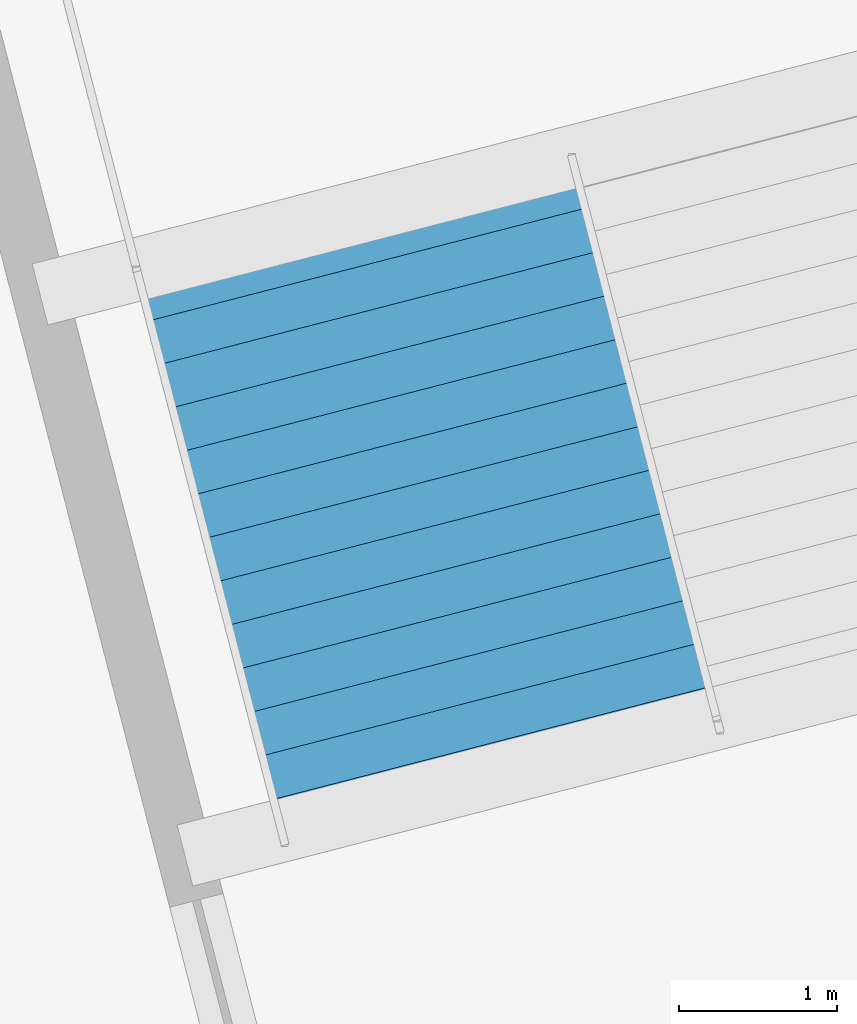
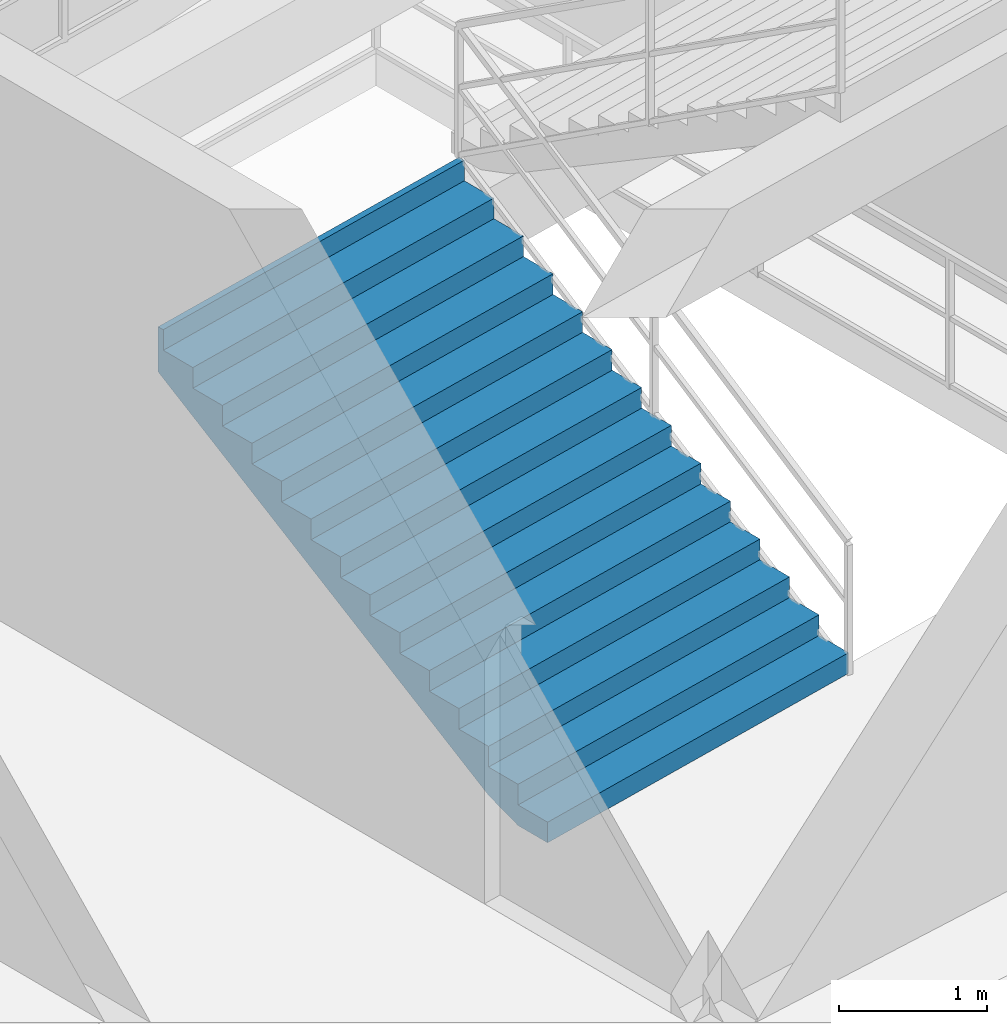
# One storey, part 130 of 156: 1 stair flight, 1 element without a shape of its own.
"""IFC4 building model written with IfcOpenShell, lengths in metres."""

from ifc_helpers import new_model, si_unit, direction, frame, origin, place, context, subcontext, project, spatial, polygons, material, type_object, element, aggregate, save


model = new_model("IFC4")

# Units and contexts
model_context = context("Model", 3, precision=1e-05, world=origin(), true_north=direction((0.0, 1.0)))
body_context = subcontext(model_context, "Body", "Model", "MODEL_VIEW")
ifc_project = project(units=[si_unit("LENGTHUNIT", "METRE"), si_unit("AREAUNIT", "SQUARE_METRE"), si_unit("VOLUMEUNIT", "CUBIC_METRE"), si_unit("PLANEANGLEUNIT", "RADIAN"), si_unit("MASSUNIT", "GRAM", prefix="KILO")], contexts=[model_context])

# Site, building, storey
site_placement = place(None, origin())
site = spatial("IfcSite", under=ifc_project, at=site_placement, CompositionType="ELEMENT")
building_placement = place(site_placement, origin())
building = spatial("IfcBuilding", under=site, at=building_placement, Name="Kazemori Nagisa Stadium", CompositionType="ELEMENT")
storey_placement = place(building_placement, frame((0.0, 0.0, 5.780029296875)))
storey = spatial("IfcBuildingStorey", under=building, at=storey_placement, Name="L01", CompositionType="ELEMENT", Elevation=5.780029296875)

# Stair, stair flight
ifc_material = material(Name="Concrete C36/45 (Fc36)", Category="concrete")
stair_type = type_object("IfcStairType", Name="Stair_CORE_28", PredefinedType="TWO_STRAIGHT_RUN_STAIR", material=ifc_material)
stair_placement = place(storey_placement, origin())
stair = element("IfcStair", 1, at=stair_placement, inside=storey, type_object=stair_type, Name="Exit stair ST07 L01", PredefinedType="TWO_STRAIGHT_RUN_STAIR")
stair_flight_type = type_object("IfcStairFlightType", Name="Flight_CORE_14", PredefinedType="STRAIGHT", material=ifc_material)
stair_flight_placement = place(storey_placement, frame((207.933349609375, 122.920166015625, 0.0), z_axis=(0.0, 0.0, 1.0), x_axis=(-0.250001576145, 0.968245429592, 0.0)))
stair_flight = element("IfcStairFlight", 2, at=stair_flight_placement, type_object=stair_flight_type, Name="Exit stair ST07 L01 flight 1", NumberOfRisers=14, NumberOfTreads=13, PredefinedType="STRAIGHT", RiserHeight=0.17, TreadLength=0.285, context=body_context, shape_type="Tessellation", body=[
    polygons([(0.0, -1.425048828125, 0.0), (0.0, -1.425048828125, 0.169921875), (0.284912109375, -1.425048828125, 0.169921875), (0.284912109375, -1.425048828125, 0.340087890625), (0.570068359375, -1.425048828125, 0.340087890625), (0.570068359375, -1.425048828125, 0.510009765625), (0.85498046875, -1.425048828125, 0.510009765625), (0.85498046875, -1.425048828125, 0.679931640625), (1.139892578125, -1.425048828125, 0.679931640625), (1.139892578125, -1.425048828125, 0.85009765625), (1.425048828125, -1.425048828125, 0.85009765625), (1.425048828125, -1.425048828125, 1.02001953125), (1.7099609375, -1.425048828125, 1.02001953125), (1.7099609375, -1.425048828125, 1.18994140625), (1.9951171875, -1.425048828125, 1.18994140625), (1.9951171875, -1.425048828125, 1.360107421875), (2.280029296875, -1.425048828125, 1.360107421875), (2.280029296875, -1.425048828125, 1.530029296875), (2.56494140625, -1.425048828125, 1.530029296875), (2.56494140625, -1.425048828125, 1.699951171875), (2.85009765625, -1.425048828125, 1.699951171875), (2.85009765625, -1.425048828125, 1.8701171875), (3.135009765625, -1.425048828125, 1.8701171875), (3.135009765625, -1.425048828125, 2.0400390625), (3.419921875, -1.425048828125, 2.0400390625), (3.419921875, -1.425048828125, 2.2099609375), (3.705078125, -1.425048828125, 2.2099609375), (3.705078125, -1.425048828125, 2.3798828125), (3.7548828125, -1.425048828125, 2.3798828125), (3.7548828125, -1.425048828125, 2.007080078125), (3.705078125, -1.425048828125, 1.977294921875), (3.419921875, -1.425048828125, 1.80712890625), (3.135009765625, -1.425048828125, 1.63720703125), (2.85009765625, -1.425048828125, 1.46728515625), (2.56494140625, -1.425048828125, 1.297119140625), (2.280029296875, -1.425048828125, 1.127197265625), (1.9951171875, -1.425048828125, 0.957275390625), (1.7099609375, -1.425048828125, 0.787109375), (1.425048828125, -1.425048828125, 0.6171875), (1.139892578125, -1.425048828125, 0.447265625), (0.85498046875, -1.425048828125, 0.277099609375), (0.570068359375, -1.425048828125, 0.107177734375), (0.284912109375, -1.425048828125, 0.0), (0.0, -0.08544921875, 0.0), (0.0, -0.08544921875, 0.169921875), (0.284912109375, -0.08544921875, 0.169921875), (0.284912109375, -0.08544921875, 0.340087890625), (0.570068359375, -0.08544921875, 0.340087890625), (0.570068359375, -0.08544921875, 0.510009765625), (0.85498046875, -0.08544921875, 0.510009765625), (0.85498046875, -0.08544921875, 0.679931640625), (1.139892578125, -0.08544921875, 0.679931640625), (1.139892578125, -0.08544921875, 0.85009765625), (1.425048828125, -0.08544921875, 0.85009765625), (1.425048828125, -0.08544921875, 1.02001953125), (1.7099609375, -0.08544921875, 1.02001953125), (1.7099609375, -0.08544921875, 1.18994140625), (1.9951171875, -0.08544921875, 1.18994140625), (1.9951171875, -0.08544921875, 1.360107421875), (2.280029296875, -0.08544921875, 1.360107421875), (2.280029296875, -0.08544921875, 1.530029296875), (2.56494140625, -0.08544921875, 1.530029296875), (2.56494140625, -0.08544921875, 1.699951171875), (2.85009765625, -0.08544921875, 1.699951171875), (2.85009765625, -0.08544921875, 1.8701171875), (3.135009765625, -0.08544921875, 1.8701171875), (3.135009765625, -0.08544921875, 2.0400390625), (3.419921875, -0.08544921875, 2.0400390625), (3.419921875, -0.08544921875, 2.2099609375), (3.705078125, -0.08544921875, 2.2099609375), (3.705078125, -0.08544921875, 2.3798828125), (3.7548828125, -0.08544921875, 2.3798828125), (3.7548828125, -0.08544921875, 2.007080078125), (3.705078125, -0.08544921875, 1.977294921875), (3.419921875, -0.08544921875, 1.80712890625), (3.135009765625, -0.08544921875, 1.63720703125), (2.85009765625, -0.08544921875, 1.46728515625), (2.56494140625, -0.08544921875, 1.297119140625), (2.280029296875, -0.08544921875, 1.127197265625), (1.9951171875, -0.08544921875, 0.957275390625), (1.7099609375, -0.08544921875, 0.787109375), (1.425048828125, -0.08544921875, 0.6171875), (1.139892578125, -0.08544921875, 0.447265625), (0.85498046875, -0.08544921875, 0.277099609375), (0.570068359375, -0.08544921875, 0.107177734375), (0.284912109375, -0.08544921875, 0.0), (0.0, 0.0, 0.0), (0.0, 0.0, 0.169921875), (0.284912109375, 0.0, 0.169921875), (0.284912109375, 0.0, 0.340087890625), (0.570068359375, 0.0, 0.340087890625), (0.570068359375, 0.0, 0.510009765625), (0.85498046875, 0.0, 0.510009765625), (0.85498046875, 0.0, 0.679931640625), (1.139892578125, 0.0, 0.679931640625), (1.139892578125, 0.0, 0.85009765625), (1.425048828125, 0.0, 0.85009765625), (1.425048828125, 0.0, 1.02001953125), (1.7099609375, 0.0, 1.02001953125), (1.7099609375, 0.0, 1.18994140625), (1.9951171875, 0.0, 1.18994140625), (1.9951171875, 0.0, 1.360107421875), (2.280029296875, 0.0, 1.360107421875), (2.280029296875, 0.0, 1.530029296875), (2.56494140625, 0.0, 1.530029296875), (2.56494140625, 0.0, 1.699951171875), (2.85009765625, 0.0, 1.699951171875), (2.85009765625, 0.0, 1.8701171875), (3.135009765625, 0.0, 1.8701171875), (3.135009765625, 0.0, 2.0400390625), (3.419921875, 0.0, 2.0400390625), (3.419921875, 0.0, 2.2099609375), (3.705078125, 0.0, 2.2099609375), (3.705078125, 0.0, 2.3798828125), (3.7548828125, 0.0, 2.3798828125), (3.7548828125, 0.0, 2.007080078125), (3.705078125, 0.0, 1.977294921875), (3.419921875, 0.0, 1.80712890625), (3.135009765625, 0.0, 1.63720703125), (2.85009765625, 0.0, 1.46728515625), (2.56494140625, 0.0, 1.297119140625), (2.280029296875, 0.0, 1.127197265625), (1.9951171875, 0.0, 0.957275390625), (1.7099609375, 0.0, 0.787109375), (1.425048828125, 0.0, 0.6171875), (1.139892578125, 0.0, 0.447265625), (0.85498046875, 0.0, 0.277099609375), (0.570068359375, 0.0, 0.107177734375), (0.284912109375, 0.0, 0.0), (0.0, 0.08544921875, 0.0), (0.0, 0.08544921875, 0.169921875), (0.284912109375, 0.08544921875, 0.169921875), (0.284912109375, 0.08544921875, 0.340087890625), (0.570068359375, 0.08544921875, 0.340087890625), (0.570068359375, 0.08544921875, 0.510009765625), (0.85498046875, 0.08544921875, 0.510009765625), (0.85498046875, 0.08544921875, 0.679931640625), (1.139892578125, 0.08544921875, 0.679931640625), (1.139892578125, 0.08544921875, 0.85009765625), (1.425048828125, 0.08544921875, 0.85009765625), (1.425048828125, 0.08544921875, 1.02001953125), (1.7099609375, 0.08544921875, 1.02001953125), (1.7099609375, 0.08544921875, 1.18994140625), (1.9951171875, 0.08544921875, 1.18994140625), (1.9951171875, 0.08544921875, 1.360107421875), (2.280029296875, 0.08544921875, 1.360107421875), (2.280029296875, 0.08544921875, 1.530029296875), (2.56494140625, 0.08544921875, 1.530029296875), (2.56494140625, 0.08544921875, 1.699951171875), (2.85009765625, 0.08544921875, 1.699951171875), (2.85009765625, 0.08544921875, 1.8701171875), (3.135009765625, 0.08544921875, 1.8701171875), (3.135009765625, 0.08544921875, 2.0400390625), (3.419921875, 0.08544921875, 2.0400390625), (3.419921875, 0.08544921875, 2.2099609375), (3.705078125, 0.08544921875, 2.2099609375), (3.705078125, 0.08544921875, 2.3798828125), (3.7548828125, 0.08544921875, 2.3798828125), (3.7548828125, 0.08544921875, 2.007080078125), (3.705078125, 0.08544921875, 1.977294921875), (3.419921875, 0.08544921875, 1.80712890625), (3.135009765625, 0.08544921875, 1.63720703125), (2.85009765625, 0.08544921875, 1.46728515625), (2.56494140625, 0.08544921875, 1.297119140625), (2.280029296875, 0.08544921875, 1.127197265625), (1.9951171875, 0.08544921875, 0.957275390625), (1.7099609375, 0.08544921875, 0.787109375), (1.425048828125, 0.08544921875, 0.6171875), (1.139892578125, 0.08544921875, 0.447265625), (0.85498046875, 0.08544921875, 0.277099609375), (0.570068359375, 0.08544921875, 0.107177734375), (0.284912109375, 0.08544921875, 0.0), (0.0, 1.425048828125, 0.0), (0.0, 1.425048828125, 0.169921875), (0.284912109375, 1.425048828125, 0.169921875), (0.284912109375, 1.425048828125, 0.340087890625), (0.570068359375, 1.425048828125, 0.340087890625), (0.570068359375, 1.425048828125, 0.510009765625), (0.85498046875, 1.425048828125, 0.510009765625), (0.85498046875, 1.425048828125, 0.679931640625), (1.139892578125, 1.425048828125, 0.679931640625), (1.139892578125, 1.425048828125, 0.85009765625), (1.425048828125, 1.425048828125, 0.85009765625), (1.425048828125, 1.425048828125, 1.02001953125), (1.7099609375, 1.425048828125, 1.02001953125), (1.7099609375, 1.425048828125, 1.18994140625), (1.9951171875, 1.425048828125, 1.18994140625), (1.9951171875, 1.425048828125, 1.360107421875), (2.280029296875, 1.425048828125, 1.360107421875), (2.280029296875, 1.425048828125, 1.530029296875), (2.56494140625, 1.425048828125, 1.530029296875), (2.56494140625, 1.425048828125, 1.699951171875), (2.85009765625, 1.425048828125, 1.699951171875), (2.85009765625, 1.425048828125, 1.8701171875), (3.135009765625, 1.425048828125, 1.8701171875), (3.135009765625, 1.425048828125, 2.0400390625), (3.419921875, 1.425048828125, 2.0400390625), (3.419921875, 1.425048828125, 2.2099609375), (3.705078125, 1.425048828125, 2.2099609375), (3.705078125, 1.425048828125, 2.3798828125), (3.7548828125, 1.425048828125, 2.3798828125), (3.7548828125, 1.425048828125, 2.007080078125), (3.705078125, 1.425048828125, 1.977294921875), (3.419921875, 1.425048828125, 1.80712890625), (3.135009765625, 1.425048828125, 1.63720703125), (2.85009765625, 1.425048828125, 1.46728515625), (2.56494140625, 1.425048828125, 1.297119140625), (2.280029296875, 1.425048828125, 1.127197265625), (1.9951171875, 1.425048828125, 0.957275390625), (1.7099609375, 1.425048828125, 0.787109375), (1.425048828125, 1.425048828125, 0.6171875), (1.139892578125, 1.425048828125, 0.447265625), (0.85498046875, 1.425048828125, 0.277099609375), (0.570068359375, 1.425048828125, 0.107177734375), (0.284912109375, 1.425048828125, 0.0)], [[[1, 2, 45]], [[1, 45, 44]], [[2, 3, 46]], [[2, 46, 45]], [[3, 4, 47]], [[3, 47, 46]], [[4, 5, 48]], [[4, 48, 47]], [[5, 6, 49]], [[5, 49, 48]], [[6, 7, 50]], [[6, 50, 49]], [[7, 8, 51]], [[7, 51, 50]], [[8, 9, 52]], [[8, 52, 51]], [[9, 10, 53]], [[9, 53, 52]], [[10, 11, 54]], [[10, 54, 53]], [[11, 12, 55]], [[11, 55, 54]], [[12, 13, 56]], [[12, 56, 55]], [[13, 14, 57]], [[13, 57, 56]], [[14, 15, 58]], [[14, 58, 57]], [[15, 16, 59]], [[15, 59, 58]], [[16, 17, 60]], [[16, 60, 59]], [[17, 18, 61]], [[17, 61, 60]], [[18, 19, 62]], [[18, 62, 61]], [[19, 20, 63]], [[19, 63, 62]], [[20, 21, 64]], [[20, 64, 63]], [[21, 22, 65]], [[21, 65, 64]], [[22, 23, 66]], [[22, 66, 65]], [[23, 24, 67]], [[23, 67, 66]], [[24, 25, 68]], [[24, 68, 67]], [[25, 26, 69]], [[25, 69, 68]], [[26, 27, 70]], [[26, 70, 69]], [[27, 28, 71]], [[27, 71, 70]], [[28, 29, 72]], [[28, 72, 71]], [[29, 30, 73]], [[29, 73, 72]], [[30, 31, 74]], [[30, 74, 73]], [[31, 32, 75]], [[31, 75, 74]], [[32, 33, 76]], [[32, 76, 75]], [[33, 34, 77]], [[33, 77, 76]], [[34, 35, 78]], [[34, 78, 77]], [[35, 36, 79]], [[35, 79, 78]], [[36, 37, 80]], [[36, 80, 79]], [[37, 38, 81]], [[37, 81, 80]], [[38, 39, 82]], [[38, 82, 81]], [[39, 40, 83]], [[39, 83, 82]], [[40, 41, 84]], [[40, 84, 83]], [[41, 42, 85]], [[41, 85, 84]], [[42, 43, 86]], [[42, 86, 85]], [[43, 1, 44]], [[43, 44, 86]], [[44, 45, 88]], [[44, 88, 87]], [[45, 46, 89]], [[45, 89, 88]], [[46, 47, 90]], [[46, 90, 89]], [[47, 48, 91]], [[47, 91, 90]], [[48, 49, 92]], [[48, 92, 91]], [[49, 50, 93]], [[49, 93, 92]], [[50, 51, 94]], [[50, 94, 93]], [[51, 52, 95]], [[51, 95, 94]], [[52, 53, 96]], [[52, 96, 95]], [[53, 54, 97]], [[53, 97, 96]], [[54, 55, 98]], [[54, 98, 97]], [[55, 56, 99]], [[55, 99, 98]], [[56, 57, 100]], [[56, 100, 99]], [[57, 58, 101]], [[57, 101, 100]], [[58, 59, 102]], [[58, 102, 101]], [[59, 60, 103]], [[59, 103, 102]], [[60, 61, 104]], [[60, 104, 103]], [[61, 62, 105]], [[61, 105, 104]], [[62, 63, 106]], [[62, 106, 105]], [[63, 64, 107]], [[63, 107, 106]], [[64, 65, 108]], [[64, 108, 107]], [[65, 66, 109]], [[65, 109, 108]], [[66, 67, 110]], [[66, 110, 109]], [[67, 68, 111]], [[67, 111, 110]], [[68, 69, 112]], [[68, 112, 111]], [[69, 70, 113]], [[69, 113, 112]], [[70, 71, 114]], [[70, 114, 113]], [[71, 72, 115]], [[71, 115, 114]], [[72, 73, 116]], [[72, 116, 115]], [[73, 74, 117]], [[73, 117, 116]], [[74, 75, 118]], [[74, 118, 117]], [[75, 76, 119]], [[75, 119, 118]], [[76, 77, 120]], [[76, 120, 119]], [[77, 78, 121]], [[77, 121, 120]], [[78, 79, 122]], [[78, 122, 121]], [[79, 80, 123]], [[79, 123, 122]], [[80, 81, 124]], [[80, 124, 123]], [[81, 82, 125]], [[81, 125, 124]], [[82, 83, 126]], [[82, 126, 125]], [[83, 84, 127]], [[83, 127, 126]], [[84, 85, 128]], [[84, 128, 127]], [[85, 86, 129]], [[85, 129, 128]], [[86, 44, 87]], [[86, 87, 129]], [[87, 88, 131]], [[87, 131, 130]], [[88, 89, 132]], [[88, 132, 131]], [[89, 90, 133]], [[89, 133, 132]], [[90, 91, 134]], [[90, 134, 133]], [[91, 92, 135]], [[91, 135, 134]], [[92, 93, 136]], [[92, 136, 135]], [[93, 94, 137]], [[93, 137, 136]], [[94, 95, 138]], [[94, 138, 137]], [[95, 96, 139]], [[95, 139, 138]], [[96, 97, 140]], [[96, 140, 139]], [[97, 98, 141]], [[97, 141, 140]], [[98, 99, 142]], [[98, 142, 141]], [[99, 100, 143]], [[99, 143, 142]], [[100, 101, 144]], [[100, 144, 143]], [[101, 102, 145]], [[101, 145, 144]], [[102, 103, 146]], [[102, 146, 145]], [[103, 104, 147]], [[103, 147, 146]], [[104, 105, 148]], [[104, 148, 147]], [[105, 106, 149]], [[105, 149, 148]], [[106, 107, 150]], [[106, 150, 149]], [[107, 108, 151]], [[107, 151, 150]], [[108, 109, 152]], [[108, 152, 151]], [[109, 110, 153]], [[109, 153, 152]], [[110, 111, 154]], [[110, 154, 153]], [[111, 112, 155]], [[111, 155, 154]], [[112, 113, 156]], [[112, 156, 155]], [[113, 114, 157]], [[113, 157, 156]], [[114, 115, 158]], [[114, 158, 157]], [[115, 116, 159]], [[115, 159, 158]], [[116, 117, 160]], [[116, 160, 159]], [[117, 118, 161]], [[117, 161, 160]], [[118, 119, 162]], [[118, 162, 161]], [[119, 120, 163]], [[119, 163, 162]], [[120, 121, 164]], [[120, 164, 163]], [[121, 122, 165]], [[121, 165, 164]], [[122, 123, 166]], [[122, 166, 165]], [[123, 124, 167]], [[123, 167, 166]], [[124, 125, 168]], [[124, 168, 167]], [[125, 126, 169]], [[125, 169, 168]], [[126, 127, 170]], [[126, 170, 169]], [[127, 128, 171]], [[127, 171, 170]], [[128, 129, 172]], [[128, 172, 171]], [[129, 87, 130]], [[129, 130, 172]], [[130, 131, 174]], [[130, 174, 173]], [[131, 132, 175]], [[131, 175, 174]], [[132, 133, 176]], [[132, 176, 175]], [[133, 134, 177]], [[133, 177, 176]], [[134, 135, 178]], [[134, 178, 177]], [[135, 136, 179]], [[135, 179, 178]], [[136, 137, 180]], [[136, 180, 179]], [[137, 138, 181]], [[137, 181, 180]], [[138, 139, 182]], [[138, 182, 181]], [[139, 140, 183]], [[139, 183, 182]], [[140, 141, 184]], [[140, 184, 183]], [[141, 142, 185]], [[141, 185, 184]], [[142, 143, 186]], [[142, 186, 185]], [[143, 144, 187]], [[143, 187, 186]], [[144, 145, 188]], [[144, 188, 187]], [[145, 146, 189]], [[145, 189, 188]], [[146, 147, 190]], [[146, 190, 189]], [[147, 148, 191]], [[147, 191, 190]], [[148, 149, 192]], [[148, 192, 191]], [[149, 150, 193]], [[149, 193, 192]], [[150, 151, 194]], [[150, 194, 193]], [[151, 152, 195]], [[151, 195, 194]], [[152, 153, 196]], [[152, 196, 195]], [[153, 154, 197]], [[153, 197, 196]], [[154, 155, 198]], [[154, 198, 197]], [[155, 156, 199]], [[155, 199, 198]], [[156, 157, 200]], [[156, 200, 199]], [[157, 158, 201]], [[157, 201, 200]], [[158, 159, 202]], [[158, 202, 201]], [[159, 160, 203]], [[159, 203, 202]], [[160, 161, 204]], [[160, 204, 203]], [[161, 162, 205]], [[161, 205, 204]], [[162, 163, 206]], [[162, 206, 205]], [[163, 164, 207]], [[163, 207, 206]], [[164, 165, 208]], [[164, 208, 207]], [[165, 166, 209]], [[165, 209, 208]], [[166, 167, 210]], [[166, 210, 209]], [[167, 168, 211]], [[167, 211, 210]], [[168, 169, 212]], [[168, 212, 211]], [[169, 170, 213]], [[169, 213, 212]], [[170, 171, 214]], [[170, 214, 213]], [[171, 172, 215]], [[171, 215, 214]], [[172, 130, 173]], [[172, 173, 215]], [[3, 2, 1]], [[173, 174, 175]], [[43, 3, 1]], [[173, 175, 215]], [[42, 3, 43]], [[215, 175, 214]], [[5, 3, 42]], [[214, 175, 177]], [[5, 4, 3]], [[175, 176, 177]], [[41, 5, 42]], [[214, 177, 213]], [[7, 5, 41]], [[213, 177, 179]], [[7, 6, 5]], [[177, 178, 179]], [[40, 7, 41]], [[213, 179, 212]], [[9, 7, 40]], [[212, 179, 181]], [[9, 8, 7]], [[179, 180, 181]], [[39, 9, 40]], [[212, 181, 211]], [[11, 9, 39]], [[211, 181, 183]], [[11, 10, 9]], [[181, 182, 183]], [[38, 11, 39]], [[211, 183, 210]], [[13, 11, 38]], [[210, 183, 185]], [[13, 12, 11]], [[183, 184, 185]], [[37, 13, 38]], [[210, 185, 209]], [[15, 13, 37]], [[209, 185, 187]], [[15, 14, 13]], [[185, 186, 187]], [[36, 15, 37]], [[209, 187, 208]], [[17, 15, 36]], [[208, 187, 189]], [[17, 16, 15]], [[187, 188, 189]], [[35, 17, 36]], [[208, 189, 207]], [[19, 17, 35]], [[207, 189, 191]], [[19, 18, 17]], [[189, 190, 191]], [[34, 19, 35]], [[207, 191, 206]], [[21, 19, 34]], [[206, 191, 193]], [[21, 20, 19]], [[191, 192, 193]], [[33, 21, 34]], [[206, 193, 205]], [[23, 21, 33]], [[205, 193, 195]], [[23, 22, 21]], [[193, 194, 195]], [[32, 23, 33]], [[205, 195, 204]], [[25, 23, 32]], [[204, 195, 197]], [[25, 24, 23]], [[195, 196, 197]], [[31, 25, 32]], [[204, 197, 203]], [[27, 25, 31]], [[203, 197, 199]], [[27, 26, 25]], [[197, 198, 199]], [[30, 27, 31]], [[203, 199, 202]], [[29, 27, 30]], [[202, 199, 201]], [[29, 28, 27]], [[199, 200, 201]]], closed=True),
])
aggregate(stair, [stair_flight])

save(model, "model.ifc")
